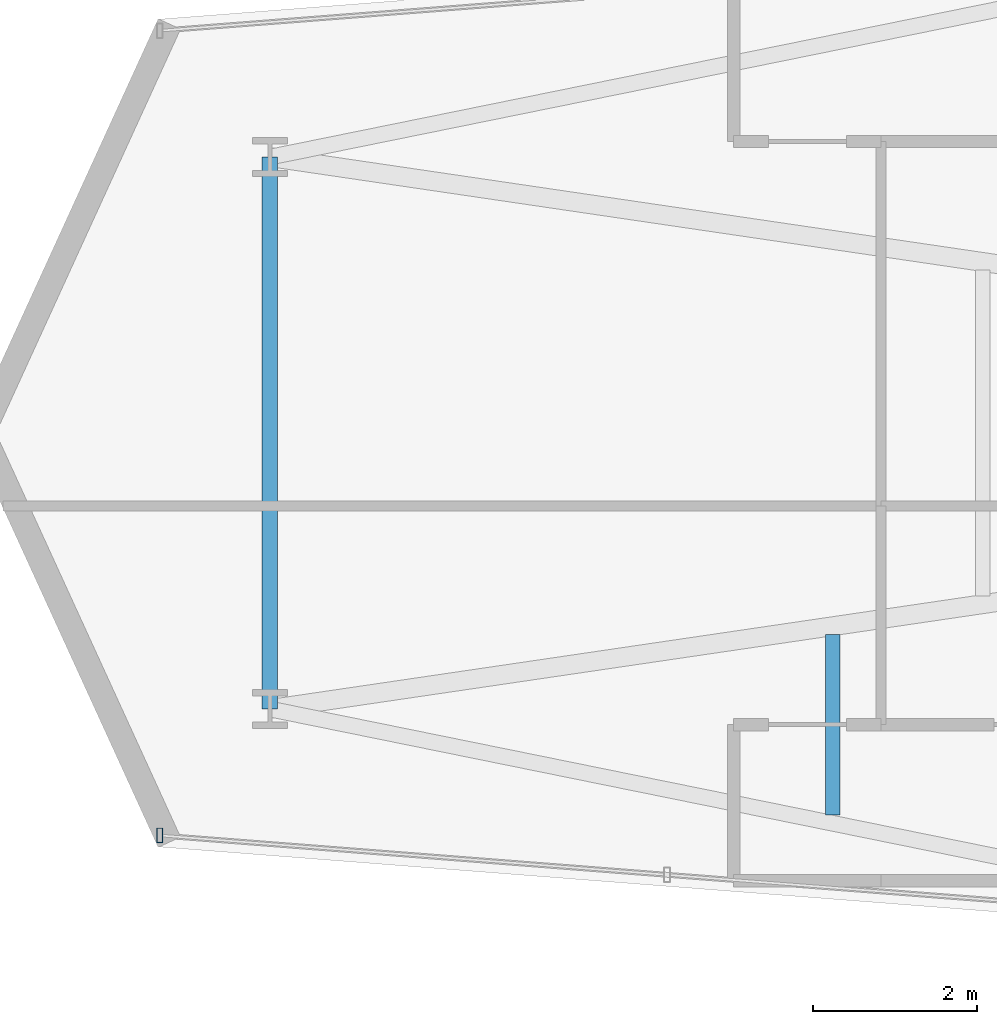
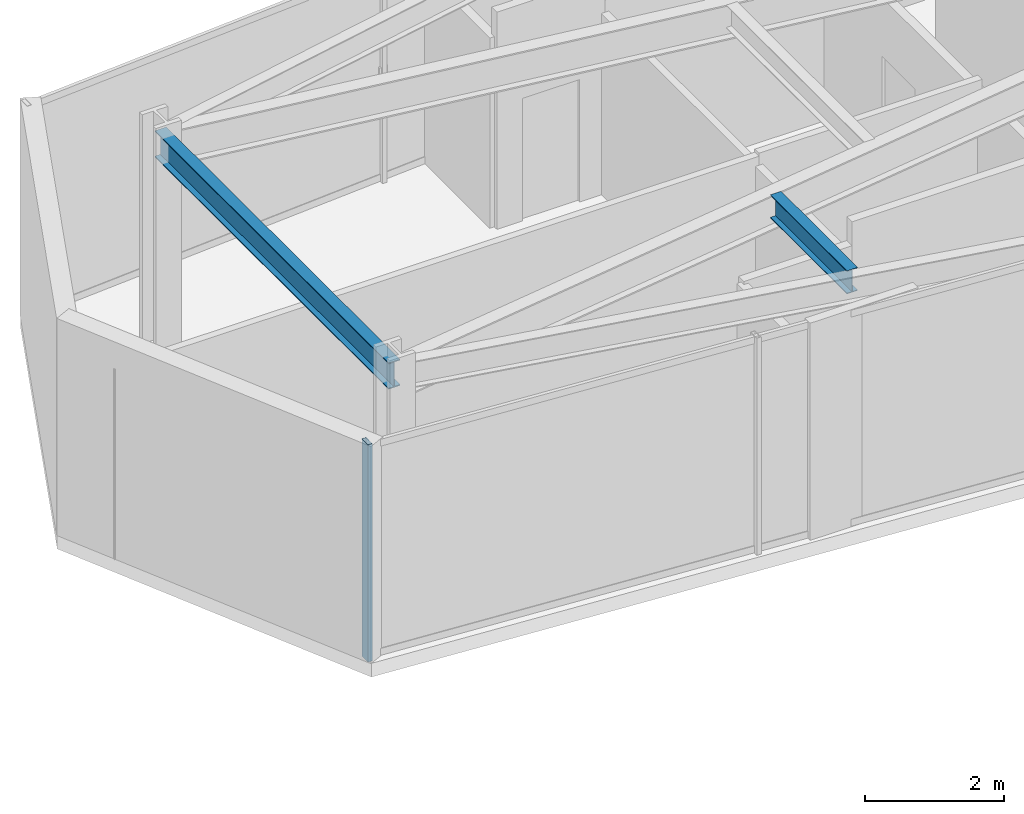
# One storey, part 6 of 30: 2 beams, 1 member, 1 element without a shape of its own.
"""IFC4 building model written with IfcOpenShell, lengths in metres."""

from ifc_helpers import new_model, si_unit, direction, frame, origin, origin_2d, place, context, subcontext, project, spatial, hollow_rectangle, i_section, extrude, material, layer, layer_set, material_profile, profile_set, type_object, element, aggregate, save


model = new_model("IFC4")

# Units and contexts
model_context = context("Model", 3, precision=1e-05, world=origin(), true_north=direction((0.0, 1.0)))
body_context = subcontext(model_context, "Body", "Model", "MODEL_VIEW")
ifc_project = project(units=[si_unit("LENGTHUNIT", "METRE"), si_unit("AREAUNIT", "SQUARE_METRE"), si_unit("VOLUMEUNIT", "CUBIC_METRE"), si_unit("PLANEANGLEUNIT", "RADIAN"), si_unit("MASSUNIT", "GRAM", prefix="KILO")], contexts=[model_context])

# Site, building, storey
site_placement = place(None, origin())
site = spatial("IfcSite", under=ifc_project, at=site_placement, CompositionType="ELEMENT")
building_placement = place(site_placement, origin())
building = spatial("IfcBuilding", under=site, at=building_placement, Name="Veymaron Broadcast Tower", CompositionType="ELEMENT")
storey_placement = place(building_placement, frame((0.0, 0.0, 49.949951171875)))
storey = spatial("IfcBuildingStorey", under=building, at=storey_placement, Name="L10", CompositionType="ELEMENT", Elevation=49.949951171875)

# Beams
ifc_material_1 = material(Name="Structural steel ASTM A992 Gr 50", Category="steel")
ifc_material_profile_1 = material_profile(ifc_material_1, i_section(OverallWidth=0.177978515625, OverallDepth=0.406982421875, WebThickness=0.0078125, FlangeThickness=0.0126953125, at=origin_2d()), Name="W410X60")
ifc_profile_set_1 = profile_set([ifc_material_profile_1], Name="Structural steel ASTM A992 Gr 50")
beam_type_1 = type_object("IfcBeamType", Name="BM-JS1", PredefinedType="JOIST", material=ifc_profile_set_1)
beam_1_placement = place(storey_placement, frame((15.206298828125, 19.347900390625, 3.6064453125), z_axis=(0.0, 1.0, 0.0), x_axis=(-1.0, 0.0, 0.0)))
element("IfcBeam", 1, at=beam_1_placement, inside=storey, type_object=beam_type_1, Name="L10 Arm-A secondary joist 1S", PredefinedType="JOIST", context=body_context, shape_type="SweptSolid", body=[
    extrude(i_section(OverallWidth=0.177978515625, OverallDepth=0.406982421875, WebThickness=0.0078125, FlangeThickness=0.0126953125, at=origin_2d()), origin(), (0.0, 0.0, 1.0), 2.2001953125),
])
ifc_material_profile_2 = material_profile(ifc_material_1, i_section(OverallWidth=0.19091796875, OverallDepth=0.4599609375, WebThickness=0.010009765625, FlangeThickness=0.01611328125, at=origin_2d()), Name="W460X82")
ifc_profile_set_2 = profile_set([ifc_material_profile_2], Name="Structural steel ASTM A992 Gr 50")
beam_type_2 = type_object("IfcBeamType", Name="BM-SP1", PredefinedType="SPANDREL", material=ifc_profile_set_2)
beam_2_placement = place(storey_placement, frame((8.35205078125, 20.639892578125, 3.580078125), z_axis=(0.0, 1.0, 0.0), x_axis=(-1.0, 0.0, 0.0)))
element("IfcBeam", 2, at=beam_2_placement, inside=storey, type_object=beam_type_2, Name="L10 primary structural floor girder", PredefinedType="SPANDREL", context=body_context, shape_type="SweptSolid", body=[
    extrude(i_section(OverallWidth=0.19091796875, OverallDepth=0.4599609375, WebThickness=0.010009765625, FlangeThickness=0.01611328125, at=origin_2d()), origin(), (0.0, 0.0, 1.0), 6.72021484375),
])

# Curtain wall, member
ifc_material_2 = material(Name="Anodised aluminium AA 6063-T6 and laminated low-E dark glass", Category="aluminium")
ifc_layer = layer(ifc_material_2, 0.179931640625)
ifc_layer_set = layer_set([ifc_layer], Name="Anodised aluminium AA 6063-T6 and laminated low-E dark glass")
curtain_wall_type = type_object("IfcCurtainWallType", Name="CW-SYS-02", PredefinedType="NOTDEFINED", material=ifc_layer_set)
curtain_wall_placement = place(storey_placement, origin())
curtain_wall = element("IfcCurtainWall", 3, at=curtain_wall_placement, inside=storey, type_object=curtain_wall_type, Name="L10 dark-glass curtain wall CW-L10-E14-1", PredefinedType="NOTDEFINED")
ifc_material_3 = material(Name="Anodised aluminium AA 6063-T6", Category="aluminium")
ifc_material_profile_3 = material_profile(ifc_material_3, hollow_rectangle(XDim=0.074951171875, YDim=0.179931640625, WallThickness=0.0048828125, at=origin_2d()), Name="AL180X75X5")
ifc_profile_set_3 = profile_set([ifc_material_profile_3], Name="Anodised aluminium AA 6063-T6")
member_type = type_object("IfcMemberType", Name="CW-MUL-02", PredefinedType="MULLION", material=ifc_profile_set_3)
member_placement = place(storey_placement, frame((7.0107421875, 19.099853515625, 0.0), z_axis=(0.0, 0.0, 1.0), x_axis=(1.0, 0.0, 0.0)))
member = element("IfcMember", 4, at=member_placement, type_object=member_type, Name="CW-L10-E14-1 mullion 0", PredefinedType="MULLION", context=body_context, shape_type="SweptSolid", body=[
    extrude(hollow_rectangle(XDim=0.074951171875, YDim=0.179931640625, WallThickness=0.0048828125, at=origin_2d()), origin(), (0.0, 0.0, 1.0), 3.81005859375),
])
aggregate(curtain_wall, [member])

save(model, "model.ifc")
